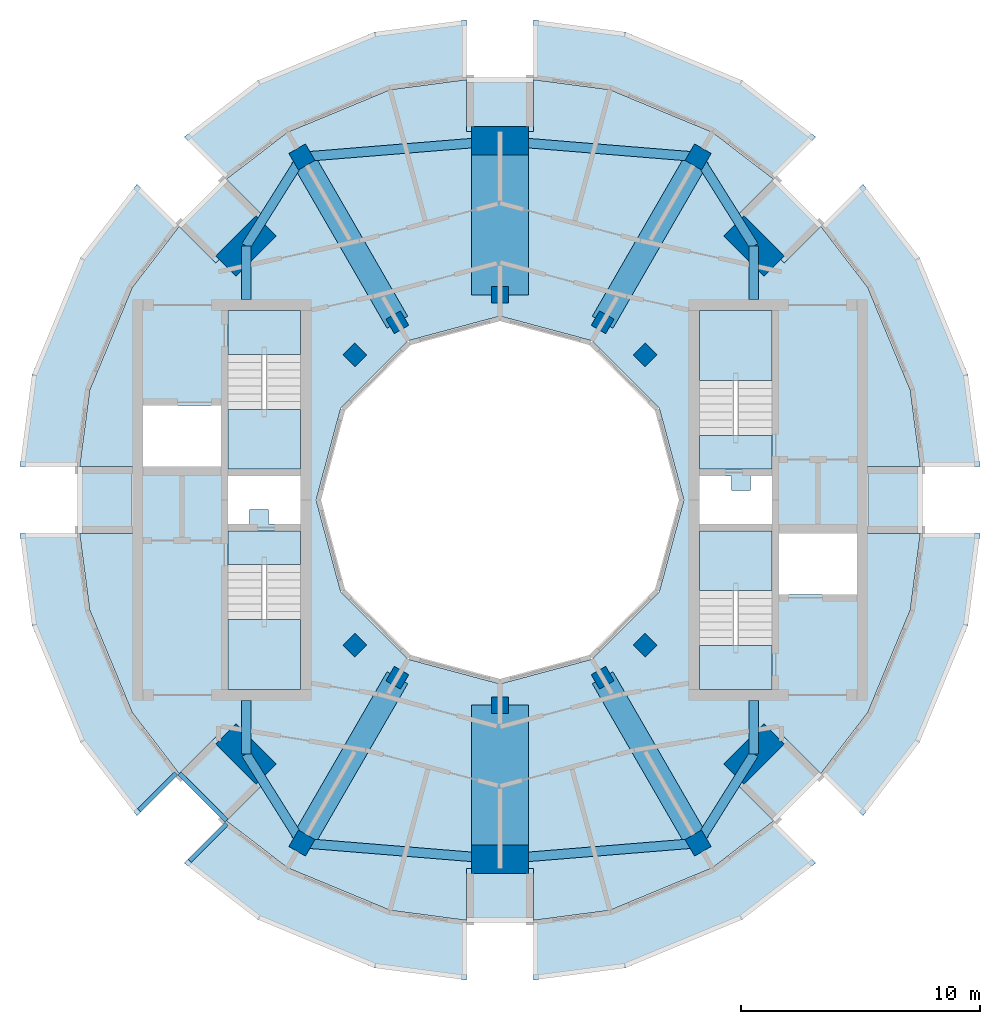
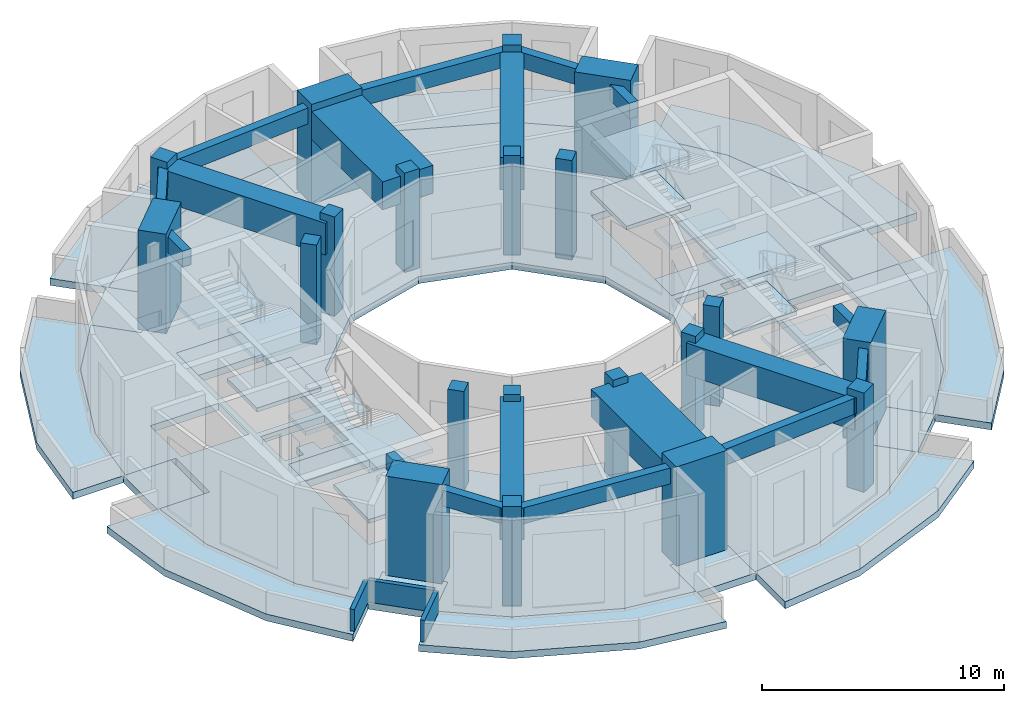
# One storey, part 1 of 8: 20 columns, 18 beams, 18 slabs, 3 walls, 4 elements without a shape of their own.
"""IFC4 building model written with IfcOpenShell, lengths in metres."""

from ifc_helpers import new_model, si_unit, direction, frame, frame_2d, origin, origin_2d, place, context, subcontext, project, spatial, polyline, rectangle, outline, extrude, material, layer, layer_set, material_profile, profile_set, type_object, element, aggregate, save


model = new_model("IFC4")

# Units and contexts
model_context = context("Model", 3, precision=1e-05, world=origin(), true_north=direction((0.0, 1.0)))
body_context = subcontext(model_context, "Body", "Model", "MODEL_VIEW")
ifc_project = project(units=[si_unit("LENGTHUNIT", "METRE"), si_unit("AREAUNIT", "SQUARE_METRE"), si_unit("VOLUMEUNIT", "CUBIC_METRE"), si_unit("PLANEANGLEUNIT", "RADIAN"), si_unit("MASSUNIT", "GRAM", prefix="KILO")], contexts=[model_context])

# Site, building, storey
site_placement = place(None, origin())
site = spatial("IfcSite", under=ifc_project, at=site_placement, CompositionType="ELEMENT")
building_placement = place(site_placement, origin())
building = spatial("IfcBuilding", under=site, at=building_placement, Name="Torre Brocal", CompositionType="ELEMENT")
storey_placement = place(building_placement, frame((0.0, 0.0, 328.10009765625)))
storey = spatial("IfcBuildingStorey", under=building, at=storey_placement, Name="L75", CompositionType="ELEMENT", Elevation=328.10009765625)

# Columns
ifc_material_1 = material(Name="Concrete C50", Category="concrete")
ifc_material_profile_1 = material_profile(ifc_material_1, rectangle(XDim=1.199951171875, YDim=2.39990234375, at=origin_2d()), Name="RC 1200X2400")
ifc_profile_set_1 = profile_set([ifc_material_profile_1], Name="Concrete C50")
column_type_1 = type_object("IfcColumnType", Name="RC COLUMN 1200X2400 C50", PredefinedType="COLUMN", material=ifc_profile_set_1)
for number, where, z_axis, x_axis, name in (
    (1, (90.641845703125, 85.641845703125, 0.0), (0.0, 0.0, 1.0), (0.707106781187, 0.707106781187, 0.0), "Column MCD-1"),
    (2, (80.0, 90.050048828125, 0.0), (0.0, 0.0, 1.0), (0.0, 1.0, 0.0), "Column MCD-2"),
    (3, (69.358154296875, 85.641845703125, 0.0), (0.0, 0.0, 1.0), (-0.707106781187, 0.707106781187, 0.0), "Column MCD-3"),
    (4, (69.358154296875, 64.358154296875, 0.0), (0.0, 0.0, 1.0), (-0.707106781187, -0.707106781187, 0.0), "Column MCD-5"),
    (5, (80.0, 59.949951171875, 0.0), (0.0, 0.0, 1.0), (0.0, -1.0, 0.0), "Column MCD-6"),
    (6, (90.641845703125, 64.358154296875, 0.0), (0.0, 0.0, 1.0), (0.707106781187, -0.707106781187, 0.0), "Column MCD-7"),
):
    element("IfcColumn", number, at=place(storey_placement, frame(where, z_axis=z_axis, x_axis=x_axis)), inside=storey, type_object=column_type_1, Name=name, PredefinedType="COLUMN", context=body_context, shape_type="SweptSolid", body=[
        extrude(rectangle(XDim=1.199951171875, YDim=2.39990234375, at=origin_2d()), origin(), (0.0, 0.0, 1.0), 5.0),
    ])
ifc_material_2 = material(Name="Concrete C50", Category="concrete")
ifc_material_profile_2 = material_profile(ifc_material_2, rectangle(XDim=0.699951171875, YDim=0.699951171875, at=origin_2d()), Name="RC 700X700")
ifc_profile_set_2 = profile_set([ifc_material_profile_2], Name="Concrete C50")
column_type_2 = type_object("IfcColumnType", Name="RC COLUMN 700X700 C50", PredefinedType="COLUMN", material=ifc_profile_set_2)
for number, where, z_axis, x_axis, name in (
    (7, (86.0810546875, 81.0810546875, 0.0), (0.0, 0.0, 1.0), (0.707106781187, 0.707106781187, 0.0), "Column C-I03"),
    (8, (84.300048828125, 82.44775390625, 0.0), (0.0, 0.0, 1.0), (0.5, 0.866025403784, 0.0), "Column C-I04"),
    (9, (80.0, 83.60009765625, 0.0), (0.0, 0.0, 1.0), (0.0, 1.0, 0.0), "Column C-I06"),
    (10, (75.699951171875, 82.44775390625, 0.0), (0.0, 0.0, 1.0), (-0.5, 0.866025403784, 0.0), "Column C-I08"),
    (11, (73.9189453125, 81.0810546875, 0.0), (0.0, 0.0, 1.0), (-0.707106781187, 0.707106781187, 0.0), "Column C-I09"),
    (12, (73.9189453125, 68.9189453125, 0.0), (0.0, 0.0, 1.0), (-0.707106781187, -0.707106781187, 0.0), "Column C-I15"),
    (13, (75.699951171875, 67.55224609375, 0.0), (0.0, 0.0, 1.0), (-0.5, -0.866025403784, 0.0), "Column C-I16"),
    (14, (80.0, 66.39990234375, 0.0), (0.0, 0.0, 1.0), (0.0, -1.0, 0.0), "Column C-I18"),
    (15, (84.300048828125, 67.55224609375, 0.0), (0.0, 0.0, 1.0), (0.5, -0.866025403784, 0.0), "Column C-I20"),
    (16, (86.0810546875, 68.9189453125, 0.0), (0.0, 0.0, 1.0), (0.707106781187, -0.707106781187, 0.0), "Column C-I21"),
):
    element("IfcColumn", number, at=place(storey_placement, frame(where, z_axis=z_axis, x_axis=x_axis)), inside=storey, type_object=column_type_2, Name=name, PredefinedType="COLUMN", context=body_context, shape_type="SweptSolid", body=[
        extrude(rectangle(XDim=0.699951171875, YDim=0.699951171875, at=origin_2d()), origin(), (0.0, 0.0, 1.0), 5.0),
    ])
ifc_material_3 = material(Name="Concrete C50", Category="concrete")
ifc_material_profile_3 = material_profile(ifc_material_3, rectangle(XDim=0.800048828125, YDim=0.800048828125, at=origin_2d()), Name="RC 800X800")
ifc_profile_set_3 = profile_set([ifc_material_profile_3], Name="Concrete C50")
column_type_3 = type_object("IfcColumnType", Name="RC COLUMN 800X800 C50", PredefinedType="COLUMN", material=ifc_profile_set_3)
for number, where, z_axis, x_axis, name in (
    (17, (88.300048828125, 89.3759765625, 0.0), (0.0, 0.0, 1.0), (0.5, 0.866025403784, 0.0), "Column C-OC04"),
    (18, (71.699951171875, 89.3759765625, 0.0), (0.0, 0.0, 1.0), (-0.5, 0.866025403784, 0.0), "Column C-OC08"),
    (19, (71.699951171875, 60.6240234375, 0.0), (0.0, 0.0, 1.0), (-0.5, -0.866025403784, 0.0), "Column C-OC16"),
    (20, (88.300048828125, 60.6240234375, 0.0), (0.0, 0.0, 1.0), (0.5, -0.866025403784, 0.0), "Column C-OC20"),
):
    element("IfcColumn", number, at=place(storey_placement, frame(where, z_axis=z_axis, x_axis=x_axis)), inside=storey, type_object=column_type_3, Name=name, PredefinedType="COLUMN", context=body_context, shape_type="SweptSolid", body=[
        extrude(rectangle(XDim=0.800048828125, YDim=0.800048828125, at=origin_2d()), origin(), (0.0, 0.0, 1.0), 5.0),
    ])

# Beams
ifc_material_4 = material(Name="Concrete C50", Category="concrete")
ifc_material_profile_4 = material_profile(ifc_material_4, rectangle(XDim=0.39990234375, YDim=0.800048828125, at=origin_2d()), Name="RC 400X800")
ifc_profile_set_4 = profile_set([ifc_material_profile_4], Name="Concrete C50")
beam_type_1 = type_object("IfcBeamType", Name="RC SPANDREL BEAM 400X800 C50 TOP 4650", PredefinedType="SPANDREL", material=ifc_profile_set_4)
beam_1_placement = place(storey_placement, frame((90.641845703125, 85.641845703125, 4.25), z_axis=(-0.531297796912, 0.847185133838, 0.0), x_axis=(-0.847185133838, -0.531297796912, 0.0)))
element("IfcBeam", 21, at=beam_1_placement, inside=storey, type_object=beam_type_1, Name="Beam BT-52", PredefinedType="SPANDREL", context=body_context, shape_type="SweptSolid", body=[
    extrude(rectangle(XDim=0.39990234375, YDim=0.800048828125, at=origin_2d()), origin(), (0.0, 0.0, 1.0), 4.40771484375),
])
for number, where, z_axis, x_axis, name in (
    (22, (88.300048828125, 89.3759765625, 4.25), (-0.996718444279, 0.080946543067, 0.0), (-0.080946543067, -0.996718444279, 0.0), "Beam BT-52"),
    (23, (80.0, 90.050048828125, 4.25), (-0.996718444279, -0.080946543067, 0.0), (0.080946543067, -0.996718444279, 0.0), "Beam BT-52"),
):
    element("IfcBeam", number, at=place(storey_placement, frame(where, z_axis=z_axis, x_axis=x_axis)), inside=storey, type_object=beam_type_1, Name=name, PredefinedType="SPANDREL", context=body_context, shape_type="SweptSolid", body=[
        extrude(rectangle(XDim=0.39990234375, YDim=0.800048828125, at=origin_2d()), origin(), (0.0, 0.0, 1.0), 8.327392578125),
    ])
beam_2_placement = place(storey_placement, frame((71.699951171875, 89.3759765625, 4.25), z_axis=(-0.531297796912, -0.847185133838, 0.0), x_axis=(0.847185133838, -0.531297796912, 0.0)))
element("IfcBeam", 24, at=beam_2_placement, inside=storey, type_object=beam_type_1, Name="Beam BT-52", PredefinedType="SPANDREL", context=body_context, shape_type="SweptSolid", body=[
    extrude(rectangle(XDim=0.39990234375, YDim=0.800048828125, at=origin_2d()), origin(), (0.0, 0.0, 1.0), 4.40771484375),
])
for number, where, z_axis, x_axis, name in (
    (25, (69.358154296875, 85.641845703125, 4.25), (0.0, -1.0, 0.0), (1.0, 0.0, 0.0), "Beam BT-52"),
    (26, (69.358154296875, 64.358154296875, 4.25), (0.0, 1.0, 0.0), (-1.0, 0.0, 0.0), "Beam BT-52"),
):
    element("IfcBeam", number, at=place(storey_placement, frame(where, z_axis=z_axis, x_axis=x_axis)), inside=storey, type_object=beam_type_1, Name=name, PredefinedType="SPANDREL", context=body_context, shape_type="SweptSolid", body=[
        extrude(rectangle(XDim=0.39990234375, YDim=0.800048828125, at=origin_2d()), origin(), (0.0, 0.0, 1.0), 2.241943359375),
    ])
beam_3_placement = place(storey_placement, frame((69.358154296875, 64.358154296875, 4.25), z_axis=(0.531297796912, -0.847185133838, 0.0), x_axis=(0.847185133838, 0.531297796912, 0.0)))
element("IfcBeam", 27, at=beam_3_placement, inside=storey, type_object=beam_type_1, Name="Beam BT-52", PredefinedType="SPANDREL", context=body_context, shape_type="SweptSolid", body=[
    extrude(rectangle(XDim=0.39990234375, YDim=0.800048828125, at=origin_2d()), origin(), (0.0, 0.0, 1.0), 4.40771484375),
])
for number, where, z_axis, x_axis, name in (
    (28, (71.699951171875, 60.6240234375, 4.25), (0.996718444279, -0.080946543067, 0.0), (0.080946543067, 0.996718444279, 0.0), "Beam BT-52"),
    (29, (80.0, 59.949951171875, 4.25), (0.996718444279, 0.080946543067, 0.0), (-0.080946543067, 0.996718444279, 0.0), "Beam BT-52"),
):
    element("IfcBeam", number, at=place(storey_placement, frame(where, z_axis=z_axis, x_axis=x_axis)), inside=storey, type_object=beam_type_1, Name=name, PredefinedType="SPANDREL", context=body_context, shape_type="SweptSolid", body=[
        extrude(rectangle(XDim=0.39990234375, YDim=0.800048828125, at=origin_2d()), origin(), (0.0, 0.0, 1.0), 8.327392578125),
    ])
beam_4_placement = place(storey_placement, frame((88.300048828125, 60.6240234375, 4.25), z_axis=(0.531297796912, 0.847185133838, 0.0), x_axis=(-0.847185133838, 0.531297796912, 0.0)))
element("IfcBeam", 30, at=beam_4_placement, inside=storey, type_object=beam_type_1, Name="Beam BT-52", PredefinedType="SPANDREL", context=body_context, shape_type="SweptSolid", body=[
    extrude(rectangle(XDim=0.39990234375, YDim=0.800048828125, at=origin_2d()), origin(), (0.0, 0.0, 1.0), 4.40771484375),
])
for number, where, z_axis, x_axis, name in (
    (31, (90.641845703125, 64.358154296875, 4.25), (0.0, 1.0, 0.0), (-1.0, 0.0, 0.0), "Beam BT-52"),
    (32, (90.641845703125, 85.641845703125, 4.25), (0.0, -1.0, 0.0), (1.0, 0.0, 0.0), "Beam BT-52"),
):
    element("IfcBeam", number, at=place(storey_placement, frame(where, z_axis=z_axis, x_axis=x_axis)), inside=storey, type_object=beam_type_1, Name=name, PredefinedType="SPANDREL", context=body_context, shape_type="SweptSolid", body=[
        extrude(rectangle(XDim=0.39990234375, YDim=0.800048828125, at=origin_2d()), origin(), (0.0, 0.0, 1.0), 2.241943359375),
    ])
ifc_material_5 = material(Name="Concrete C60", Category="concrete")
ifc_material_profile_5 = material_profile(ifc_material_5, rectangle(XDim=1.0, YDim=1.60009765625, at=origin_2d()), Name="RC 1000X1600")
ifc_profile_set_5 = profile_set([ifc_material_profile_5], Name="Concrete C60")
beam_type_2 = type_object("IfcBeamType", Name="RC TRANSFER GIRDER 1000X1600 C60 TOP 4650", PredefinedType="BEAM", material=ifc_profile_set_5)
for number, where, z_axis, x_axis, name in (
    (33, (75.699951171875, 67.55224609375, 3.849853515625), (-0.49999894854, -0.866026010844, 0.0), (0.866026010844, -0.49999894854, 0.0), "Beam TG-14"),
    (34, (75.699951171875, 82.44775390625, 3.849853515625), (-0.49999894854, 0.866026010844, 0.0), (-0.866026010844, -0.49999894854, 0.0), "Beam TG-14"),
    (35, (84.300048828125, 67.55224609375, 3.849853515625), (0.49999894854, -0.866026010844, 0.0), (0.866026010844, 0.49999894854, 0.0), "Beam TG-14"),
    (36, (84.300048828125, 82.44775390625, 3.849853515625), (0.49999894854, 0.866026010844, 0.0), (-0.866026010844, 0.49999894854, 0.0), "Beam TG-14"),
):
    element("IfcBeam", number, at=place(storey_placement, frame(where, z_axis=z_axis, x_axis=x_axis)), inside=storey, type_object=beam_type_2, Name=name, PredefinedType="BEAM", context=body_context, shape_type="SweptSolid", body=[
        extrude(rectangle(XDim=1.0, YDim=1.60009765625, at=origin_2d()), origin(), (0.0, 0.0, 1.0), 8.0),
    ])
ifc_material_6 = material(Name="Concrete C60", Category="concrete")
ifc_material_profile_6 = material_profile(ifc_material_6, rectangle(XDim=2.39990234375, YDim=1.39990234375, at=origin_2d()), Name="RC 2400X1400")
ifc_profile_set_6 = profile_set([ifc_material_profile_6], Name="Concrete C60")
beam_type_3 = type_object("IfcBeamType", Name="RC TRANSFER GIRDER 2400X1400 C60 TOP 4650", PredefinedType="BEAM", material=ifc_profile_set_6)
for number, where, z_axis, x_axis, name in (
    (37, (80.0, 66.39990234375, 3.949951171875), (0.0, -1.0, 0.0), (1.0, 0.0, 0.0), "Beam TG-15"),
    (38, (80.0, 83.60009765625, 3.949951171875), (0.0, 1.0, 0.0), (-1.0, 0.0, 0.0), "Beam TG-15"),
):
    element("IfcBeam", number, at=place(storey_placement, frame(where, z_axis=z_axis, x_axis=x_axis)), inside=storey, type_object=beam_type_3, Name=name, PredefinedType="BEAM", context=body_context, shape_type="SweptSolid", body=[
        extrude(rectangle(XDim=2.39990234375, YDim=1.39990234375, at=origin_2d()), origin(), (0.0, 0.0, 1.0), 6.449951171875),
    ])

# Stair, slab
ifc_material_7 = material(Name="Concrete C50", Category="concrete")
stair_type = type_object("IfcStairType", Name="EXIT STAIR", PredefinedType="HALF_TURN_STAIR", material=ifc_material_7)
stair_1_placement = place(storey_placement, origin())
stair_1 = element("IfcStair", 39, at=stair_1_placement, inside=storey, type_object=stair_type, Name="EXIT STAIR ST1", PredefinedType="HALF_TURN_STAIR")
ifc_material_8 = material(Name="Concrete C50", Category="concrete")
ifc_layer_1 = layer(ifc_material_8, 0.35009765625)
ifc_layer_set_1 = layer_set([ifc_layer_1], Name="Concrete C50")
slab_type_1 = type_object("IfcSlabType", Name="FLOOR LANDING 350", PredefinedType="LANDING", material=ifc_layer_set_1)
slab_1_placement = place(storey_placement, frame((0.0, 0.0, -0.35009765625)))
slab_1 = element("IfcSlab", 40, at=slab_1_placement, type_object=slab_type_1, Name="ST1 landing 1", PredefinedType="LANDING", context=body_context, shape_type="SweptSolid", body=[
    extrude(outline(polyline([(88.35009765625, 76.300048828125), (91.39990234375, 76.300048828125), (91.39990234375, 77.699951171875), (88.35009765625, 77.699951171875), (88.35009765625, 76.300048828125)])), origin(), (0.0, 0.0, 1.0), 0.35009765625),
])

stair_2_placement = place(storey_placement, origin())
stair_2 = element("IfcStair", 41, at=stair_2_placement, inside=storey, type_object=stair_type, Name="EXIT STAIR ST2", PredefinedType="HALF_TURN_STAIR")
slab_2_placement = place(storey_placement, frame((0.0, 0.0, -0.35009765625)))
slab_2 = element("IfcSlab", 42, at=slab_2_placement, type_object=slab_type_1, Name="ST2 landing 1", PredefinedType="LANDING", context=body_context, shape_type="SweptSolid", body=[
    extrude(outline(polyline([(88.35009765625, 67.050048828125), (91.39990234375, 67.050048828125), (91.39990234375, 68.89990234375), (88.35009765625, 68.89990234375), (88.35009765625, 67.050048828125)])), origin(), (0.0, 0.0, 1.0), 0.35009765625),
])

stair_3_placement = place(storey_placement, origin())
stair_3 = element("IfcStair", 43, at=stair_3_placement, inside=storey, type_object=stair_type, Name="EXIT STAIR ST3", PredefinedType="HALF_TURN_STAIR")
slab_3_placement = place(storey_placement, frame((0.0, 0.0, -0.35009765625)))
slab_3 = element("IfcSlab", 44, at=slab_3_placement, type_object=slab_type_1, Name="ST3 landing 1", PredefinedType="LANDING", context=body_context, shape_type="SweptSolid", body=[
    extrude(outline(polyline([(71.64990234375, 73.699951171875), (68.60009765625, 73.699951171875), (68.60009765625, 72.300048828125), (71.64990234375, 72.300048828125), (71.64990234375, 73.699951171875)])), origin(), (0.0, 0.0, 1.0), 0.35009765625),
])

stair_4_placement = place(storey_placement, origin())
stair_4 = element("IfcStair", 45, at=stair_4_placement, inside=storey, type_object=stair_type, Name="EXIT STAIR ST4", PredefinedType="HALF_TURN_STAIR")
slab_4_placement = place(storey_placement, frame((0.0, 0.0, -0.35009765625)))
slab_4 = element("IfcSlab", 46, at=slab_4_placement, type_object=slab_type_1, Name="ST4 landing 1", PredefinedType="LANDING", context=body_context, shape_type="SweptSolid", body=[
    extrude(outline(polyline([(71.64990234375, 82.949951171875), (68.60009765625, 82.949951171875), (68.60009765625, 81.10009765625), (71.64990234375, 81.10009765625), (71.64990234375, 82.949951171875)])), origin(), (0.0, 0.0, 1.0), 0.35009765625),
])

# Slab
ifc_material_9 = material(Name="Concrete C50", Category="concrete")
ifc_layer_2 = layer(ifc_material_9, 0.199951171875)
ifc_layer_set_2 = layer_set([ifc_layer_2], Name="Concrete C50")
slab_type_2 = type_object("IfcSlabType", Name="MID LANDING +1250", PredefinedType="LANDING", material=ifc_layer_set_2)
slab_5_placement = place(storey_placement, frame((0.0, 0.0, 1.0498046875)))
slab_5 = element("IfcSlab", 47, at=slab_5_placement, type_object=slab_type_2, Name="ST1 landing 2", PredefinedType="LANDING", context=body_context, shape_type="SweptSolid", body=[
    extrude(outline(polyline([(88.35009765625, 80.010009765625), (91.39990234375, 80.010009765625), (91.39990234375, 82.949951171875), (88.35009765625, 82.949951171875), (88.35009765625, 80.010009765625)])), origin(), (0.0, 0.0, 1.0), 0.2001953125),
])

slab_6_placement = place(storey_placement, frame((0.0, 0.0, 1.0498046875)))
slab_6 = element("IfcSlab", 48, at=slab_6_placement, type_object=slab_type_2, Name="ST2 landing 2", PredefinedType="LANDING", context=body_context, shape_type="SweptSolid", body=[
    extrude(outline(polyline([(88.35009765625, 71.2099609375), (91.39990234375, 71.2099609375), (91.39990234375, 73.699951171875), (88.35009765625, 73.699951171875), (88.35009765625, 71.2099609375)])), origin(), (0.0, 0.0, 1.0), 0.2001953125),
])

slab_7_placement = place(storey_placement, frame((0.0, 0.0, 1.0498046875)))
slab_7 = element("IfcSlab", 49, at=slab_7_placement, type_object=slab_type_2, Name="ST3 landing 2", PredefinedType="LANDING", context=body_context, shape_type="SweptSolid", body=[
    extrude(outline(polyline([(71.64990234375, 69.989990234375), (68.60009765625, 69.989990234375), (68.60009765625, 67.050048828125), (71.64990234375, 67.050048828125), (71.64990234375, 69.989990234375)])), origin(), (0.0, 0.0, 1.0), 0.2001953125),
])

slab_8_placement = place(storey_placement, frame((0.0, 0.0, 1.0498046875)))
slab_8 = element("IfcSlab", 50, at=slab_8_placement, type_object=slab_type_2, Name="ST4 landing 2", PredefinedType="LANDING", context=body_context, shape_type="SweptSolid", body=[
    extrude(outline(polyline([(71.64990234375, 78.7900390625), (68.60009765625, 78.7900390625), (68.60009765625, 76.300048828125), (71.64990234375, 76.300048828125), (71.64990234375, 78.7900390625)])), origin(), (0.0, 0.0, 1.0), 0.2001953125),
])

ifc_material_10 = material(Name="Concrete C50", Category="concrete")
ifc_layer_3 = layer(ifc_material_10, 0.199951171875)
ifc_layer_set_3 = layer_set([ifc_layer_3], Name="Concrete C50")
slab_type_3 = type_object("IfcSlabType", Name="MID LANDING +2500", PredefinedType="LANDING", material=ifc_layer_set_3)
slab_9_placement = place(storey_placement, frame((0.0, 0.0, 2.2998046875)))
slab_9 = element("IfcSlab", 51, at=slab_9_placement, type_object=slab_type_3, Name="ST1 landing 3", PredefinedType="LANDING", context=body_context, shape_type="SweptSolid", body=[
    extrude(outline(polyline([(88.35009765625, 76.300048828125), (91.39990234375, 76.300048828125), (91.39990234375, 77.699951171875), (88.35009765625, 77.699951171875), (88.35009765625, 76.300048828125)])), origin(), (0.0, 0.0, 1.0), 0.2001953125),
])

slab_10_placement = place(storey_placement, frame((0.0, 0.0, 2.2998046875)))
slab_10 = element("IfcSlab", 52, at=slab_10_placement, type_object=slab_type_3, Name="ST2 landing 3", PredefinedType="LANDING", context=body_context, shape_type="SweptSolid", body=[
    extrude(outline(polyline([(88.35009765625, 67.050048828125), (91.39990234375, 67.050048828125), (91.39990234375, 68.89990234375), (88.35009765625, 68.89990234375), (88.35009765625, 67.050048828125)])), origin(), (0.0, 0.0, 1.0), 0.2001953125),
])

slab_11_placement = place(storey_placement, frame((0.0, 0.0, 2.2998046875)))
slab_11 = element("IfcSlab", 53, at=slab_11_placement, type_object=slab_type_3, Name="ST3 landing 3", PredefinedType="LANDING", context=body_context, shape_type="SweptSolid", body=[
    extrude(outline(polyline([(71.64990234375, 73.699951171875), (68.60009765625, 73.699951171875), (68.60009765625, 72.300048828125), (71.64990234375, 72.300048828125), (71.64990234375, 73.699951171875)])), origin(), (0.0, 0.0, 1.0), 0.2001953125),
])

slab_12_placement = place(storey_placement, frame((0.0, 0.0, 2.2998046875)))
slab_12 = element("IfcSlab", 54, at=slab_12_placement, type_object=slab_type_3, Name="ST4 landing 3", PredefinedType="LANDING", context=body_context, shape_type="SweptSolid", body=[
    extrude(outline(polyline([(71.64990234375, 82.949951171875), (68.60009765625, 82.949951171875), (68.60009765625, 81.10009765625), (71.64990234375, 81.10009765625), (71.64990234375, 82.949951171875)])), origin(), (0.0, 0.0, 1.0), 0.2001953125),
])

ifc_material_11 = material(Name="Concrete C50", Category="concrete")
ifc_layer_4 = layer(ifc_material_11, 0.199951171875)
ifc_layer_set_4 = layer_set([ifc_layer_4], Name="Concrete C50")
slab_type_4 = type_object("IfcSlabType", Name="MID LANDING +3750", PredefinedType="LANDING", material=ifc_layer_set_4)
slab_13_placement = place(storey_placement, frame((0.0, 0.0, 3.5498046875)))
slab_13 = element("IfcSlab", 55, at=slab_13_placement, type_object=slab_type_4, Name="ST1 landing 4", PredefinedType="LANDING", context=body_context, shape_type="SweptSolid", body=[
    extrude(outline(polyline([(88.35009765625, 80.010009765625), (91.39990234375, 80.010009765625), (91.39990234375, 82.949951171875), (88.35009765625, 82.949951171875), (88.35009765625, 80.010009765625)])), origin(), (0.0, 0.0, 1.0), 0.2001953125),
])

aggregate(stair_1, [slab_1, slab_5, slab_9, slab_13])

slab_14_placement = place(storey_placement, frame((0.0, 0.0, 3.5498046875)))
slab_14 = element("IfcSlab", 56, at=slab_14_placement, type_object=slab_type_4, Name="ST2 landing 4", PredefinedType="LANDING", context=body_context, shape_type="SweptSolid", body=[
    extrude(outline(polyline([(88.35009765625, 71.2099609375), (91.39990234375, 71.2099609375), (91.39990234375, 73.699951171875), (88.35009765625, 73.699951171875), (88.35009765625, 71.2099609375)])), origin(), (0.0, 0.0, 1.0), 0.2001953125),
])

aggregate(stair_2, [slab_2, slab_6, slab_10, slab_14])

slab_15_placement = place(storey_placement, frame((0.0, 0.0, 3.5498046875)))
slab_15 = element("IfcSlab", 57, at=slab_15_placement, type_object=slab_type_4, Name="ST3 landing 4", PredefinedType="LANDING", context=body_context, shape_type="SweptSolid", body=[
    extrude(outline(polyline([(71.64990234375, 69.989990234375), (68.60009765625, 69.989990234375), (68.60009765625, 67.050048828125), (71.64990234375, 67.050048828125), (71.64990234375, 69.989990234375)])), origin(), (0.0, 0.0, 1.0), 0.2001953125),
])

aggregate(stair_3, [slab_3, slab_7, slab_11, slab_15])

slab_16_placement = place(storey_placement, frame((0.0, 0.0, 3.5498046875)))
slab_16 = element("IfcSlab", 58, at=slab_16_placement, type_object=slab_type_4, Name="ST4 landing 4", PredefinedType="LANDING", context=body_context, shape_type="SweptSolid", body=[
    extrude(outline(polyline([(71.64990234375, 78.7900390625), (68.60009765625, 78.7900390625), (68.60009765625, 76.300048828125), (71.64990234375, 76.300048828125), (71.64990234375, 78.7900390625)])), origin(), (0.0, 0.0, 1.0), 0.2001953125),
])

aggregate(stair_4, [slab_4, slab_8, slab_12, slab_16])

# Slabs
ifc_material_12 = material(Name="Concrete C45", Category="concrete")
ifc_layer_5 = layer(ifc_material_12, 0.35009765625)
ifc_layer_set_5 = layer_set([ifc_layer_5], Name="Concrete C45")
slab_type_5 = type_object("IfcSlabType", Name="PT FLOOR SLAB 350 C45", PredefinedType="FLOOR", material=ifc_layer_set_5)
slab_17_placement = place(storey_placement, frame((0.0, 0.0, -0.35009765625)))
element("IfcSlab", 59, at=slab_17_placement, inside=storey, type_object=slab_type_5, Name="Slab ST-11", PredefinedType="FLOOR", context=body_context, shape_type="SweptSolid", body=[
    extrude(outline(polyline([(95.199951171875, 76.39990234375), (95.199951171875, 73.60009765625), (97.614013671875, 73.60009765625), (97.19189453125, 70.3935546875), (95.413818359375, 66.100830078125), (93.44482421875, 63.534912109375), (91.914794921875, 65.065185546875), (89.934814453125, 63.085205078125), (91.465087890625, 61.55517578125), (88.899169921875, 59.586181640625), (84.6064453125, 57.80810546875), (81.39990234375, 57.385986328125), (81.39990234375, 59.550048828125), (78.60009765625, 59.550048828125), (78.60009765625, 57.385986328125), (75.3935546875, 57.80810546875), (71.100830078125, 59.586181640625), (68.534912109375, 61.55517578125), (70.065185546875, 63.085205078125), (68.085205078125, 65.065185546875), (66.55517578125, 63.534912109375), (64.586181640625, 66.100830078125), (62.80810546875, 70.3935546875), (62.385986328125, 73.60009765625), (64.800048828125, 73.60009765625), (64.800048828125, 76.39990234375), (62.385986328125, 76.39990234375), (62.80810546875, 79.6064453125), (64.586181640625, 83.899169921875), (66.55517578125, 86.465087890625), (68.085205078125, 84.934814453125), (70.065185546875, 86.914794921875), (68.534912109375, 88.44482421875), (71.100830078125, 90.413818359375), (75.3935546875, 92.19189453125), (78.60009765625, 92.614013671875), (78.60009765625, 90.449951171875), (81.39990234375, 90.449951171875), (81.39990234375, 92.614013671875), (84.6064453125, 92.19189453125), (88.899169921875, 90.413818359375), (91.465087890625, 88.44482421875), (89.934814453125, 86.914794921875), (91.914794921875, 84.934814453125), (93.44482421875, 86.465087890625), (95.413818359375, 83.899169921875), (97.19189453125, 79.6064453125), (97.614013671875, 76.39990234375), (95.199951171875, 76.39990234375)]), holes=[polyline([(91.699951171875, 73.60009765625), (91.699951171875, 71.050048828125), (94.949951171875, 71.050048828125), (94.949951171875, 73.60009765625), (91.699951171875, 73.60009765625)]), polyline([(88.35009765625, 76.0), (88.35009765625, 74.0), (91.39990234375, 74.0), (91.39990234375, 76.0), (90.5, 76.0), (90.5, 75.39990234375), (89.699951171875, 75.39990234375), (89.699951171875, 76.0), (88.35009765625, 76.0)]), polyline([(88.35009765625, 73.699951171875), (88.35009765625, 67.050048828125), (91.39990234375, 67.050048828125), (91.39990234375, 73.699951171875), (88.35009765625, 73.699951171875)]), polyline([(88.35009765625, 82.949951171875), (88.35009765625, 76.300048828125), (91.39990234375, 76.300048828125), (91.39990234375, 82.949951171875), (88.35009765625, 82.949951171875)]), polyline([(80.0, 82.70703125), (76.146484375, 81.674560546875), (73.325439453125, 78.853515625), (72.29296875, 75.0), (73.325439453125, 71.146484375), (76.146484375, 68.325439453125), (80.0, 67.29296875), (83.853515625, 68.325439453125), (86.674560546875, 71.146484375), (87.70703125, 75.0), (86.674560546875, 78.853515625), (83.853515625, 81.674560546875), (80.0, 82.70703125)]), polyline([(71.64990234375, 67.050048828125), (71.64990234375, 73.699951171875), (68.60009765625, 73.699951171875), (68.60009765625, 67.050048828125), (71.64990234375, 67.050048828125)]), polyline([(71.64990234375, 76.300048828125), (71.64990234375, 82.949951171875), (68.60009765625, 82.949951171875), (68.60009765625, 76.300048828125), (71.64990234375, 76.300048828125)]), polyline([(71.64990234375, 74.0), (71.64990234375, 76.0), (68.60009765625, 76.0), (68.60009765625, 74.0), (69.5, 74.0), (69.5, 74.60009765625), (70.300048828125, 74.60009765625), (70.300048828125, 74.0), (71.64990234375, 74.0)]), polyline([(68.300048828125, 76.39990234375), (68.300048828125, 78.949951171875), (65.050048828125, 78.949951171875), (65.050048828125, 76.39990234375), (68.300048828125, 76.39990234375)])]), origin(), (0.0, 0.0, 1.0), 0.35009765625),
])
ifc_material_13 = material(Name="Concrete C45", Category="concrete")
ifc_layer_6 = layer(ifc_material_13, 0.35009765625)
ifc_layer_set_6 = layer_set([ifc_layer_6], Name="Concrete C45")
slab_type_6 = type_object("IfcSlabType", Name="PT TERRACE SLAB 350 C45", PredefinedType="ROOF", material=ifc_layer_set_6)
slab_18_placement = place(storey_placement, frame((0.0, 0.0, -0.35009765625)))
element("IfcSlab", 60, at=slab_18_placement, inside=storey, type_object=slab_type_6, Name="Slab ST-13", PredefinedType="ROOF", context=body_context, shape_type="SweptSolid", body=[
    extrude(outline(polyline([(97.699951171875, 76.39990234375), (97.699951171875, 73.60009765625), (100.114013671875, 73.60009765625), (99.606689453125, 69.746337890625), (97.578857421875, 64.850830078125), (95.212646484375, 61.767333984375), (93.505859375, 63.47412109375), (91.52587890625, 61.494140625), (93.232666015625, 59.787353515625), (90.149169921875, 57.421142578125), (85.253662109375, 55.393310546875), (81.39990234375, 54.885986328125), (81.39990234375, 57.300048828125), (78.60009765625, 57.300048828125), (78.60009765625, 54.885986328125), (74.746337890625, 55.393310546875), (69.850830078125, 57.421142578125), (66.767333984375, 59.787353515625), (68.47412109375, 61.494140625), (66.494140625, 63.47412109375), (64.787353515625, 61.767333984375), (62.421142578125, 64.850830078125), (60.393310546875, 69.746337890625), (59.885986328125, 73.60009765625), (62.300048828125, 73.60009765625), (62.300048828125, 76.39990234375), (59.885986328125, 76.39990234375), (60.393310546875, 80.253662109375), (62.421142578125, 85.149169921875), (64.787353515625, 88.232666015625), (66.494140625, 86.52587890625), (68.47412109375, 88.505859375), (66.767333984375, 90.212646484375), (69.850830078125, 92.578857421875), (74.746337890625, 94.606689453125), (78.60009765625, 95.114013671875), (78.60009765625, 92.699951171875), (81.39990234375, 92.699951171875), (81.39990234375, 95.114013671875), (85.253662109375, 94.606689453125), (90.149169921875, 92.578857421875), (93.232666015625, 90.212646484375), (91.52587890625, 88.505859375), (93.505859375, 86.52587890625), (95.212646484375, 88.232666015625), (97.578857421875, 85.149169921875), (99.606689453125, 80.253662109375), (100.114013671875, 76.39990234375), (97.699951171875, 76.39990234375)]), holes=[polyline([(89.934814453125, 86.914794921875), (91.465087890625, 88.44482421875), (88.899169921875, 90.413818359375), (84.6064453125, 92.19189453125), (81.39990234375, 92.614013671875), (81.39990234375, 90.449951171875), (78.60009765625, 90.449951171875), (78.60009765625, 92.614013671875), (75.3935546875, 92.19189453125), (71.100830078125, 90.413818359375), (68.534912109375, 88.44482421875), (70.065185546875, 86.914794921875), (68.085205078125, 84.934814453125), (66.55517578125, 86.465087890625), (64.586181640625, 83.899169921875), (62.80810546875, 79.6064453125), (62.385986328125, 76.39990234375), (64.550048828125, 76.39990234375), (64.550048828125, 73.60009765625), (62.385986328125, 73.60009765625), (62.80810546875, 70.3935546875), (64.586181640625, 66.100830078125), (66.55517578125, 63.534912109375), (68.085205078125, 65.065185546875), (70.065185546875, 63.085205078125), (68.534912109375, 61.55517578125), (71.100830078125, 59.586181640625), (75.3935546875, 57.80810546875), (78.60009765625, 57.385986328125), (78.60009765625, 59.550048828125), (81.39990234375, 59.550048828125), (81.39990234375, 57.385986328125), (84.6064453125, 57.80810546875), (88.899169921875, 59.586181640625), (91.465087890625, 61.55517578125), (89.934814453125, 63.085205078125), (91.914794921875, 65.065185546875), (93.44482421875, 63.534912109375), (95.413818359375, 66.100830078125), (97.19189453125, 70.3935546875), (97.614013671875, 73.60009765625), (95.449951171875, 73.60009765625), (95.449951171875, 76.39990234375), (97.614013671875, 76.39990234375), (97.19189453125, 79.6064453125), (95.413818359375, 83.899169921875), (93.44482421875, 86.465087890625), (91.914794921875, 84.934814453125), (89.934814453125, 86.914794921875)])]), origin(), (0.0, 0.0, 1.0), 0.35009765625),
])

# Walls
ifc_material_14 = material(Name="Concrete C40", Category="concrete")
ifc_layer_7 = layer(ifc_material_14, 0.199951171875)
ifc_layer_set_7 = layer_set([ifc_layer_7], Name="Concrete C40")
wall_type = type_object("IfcWallType", Name="PARAPET WALL 200 THICK 1100 HIGH 4", PredefinedType="PARAPET", material=ifc_layer_set_7)
wall_1_placement = place(storey_placement, frame((66.999267578125, 59.8779296875, 0.0), z_axis=(0.0, 0.0, 1.0), x_axis=(0.707106781187, 0.707106781187, 0.0)))
element("IfcWall", 61, at=wall_1_placement, inside=storey, type_object=wall_type, Name="PARAPET WALL 21", PredefinedType="PARAPET", context=body_context, shape_type="SweptSolid", body=[
    extrude(rectangle(XDim=2.185791015625, YDim=0.199951171875, at=frame_2d((1.0927734375, 0.0))), origin(), (0.0, 0.0, 1.0), 1.099853515625),
])
wall_2_placement = place(storey_placement, frame((68.544921875, 61.56494140625, 0.0), z_axis=(0.0, 0.0, 1.0), x_axis=(-0.707106781187, 0.707106781187, 0.0)))
element("IfcWall", 62, at=wall_2_placement, inside=storey, type_object=wall_type, Name="PARAPET WALL 22", PredefinedType="PARAPET", context=body_context, shape_type="SweptSolid", body=[
    extrude(rectangle(XDim=2.800048828125, YDim=0.199951171875, at=frame_2d((1.39990234375, 0.0))), origin(), (0.0, 0.0, 1.0), 1.099853515625),
])
wall_3_placement = place(storey_placement, frame((66.423583984375, 63.544921875, 0.0), z_axis=(0.0, 0.0, 1.0), x_axis=(-0.707106781187, -0.707106781187, 0.0)))
element("IfcWall", 63, at=wall_3_placement, inside=storey, type_object=wall_type, Name="PARAPET WALL 23", PredefinedType="PARAPET", context=body_context, shape_type="SweptSolid", body=[
    extrude(rectangle(XDim=2.185791015625, YDim=0.199951171875, at=frame_2d((1.0927734375, 0.0))), origin(), (0.0, 0.0, 1.0), 1.099853515625),
])

save(model, "model.ifc")
